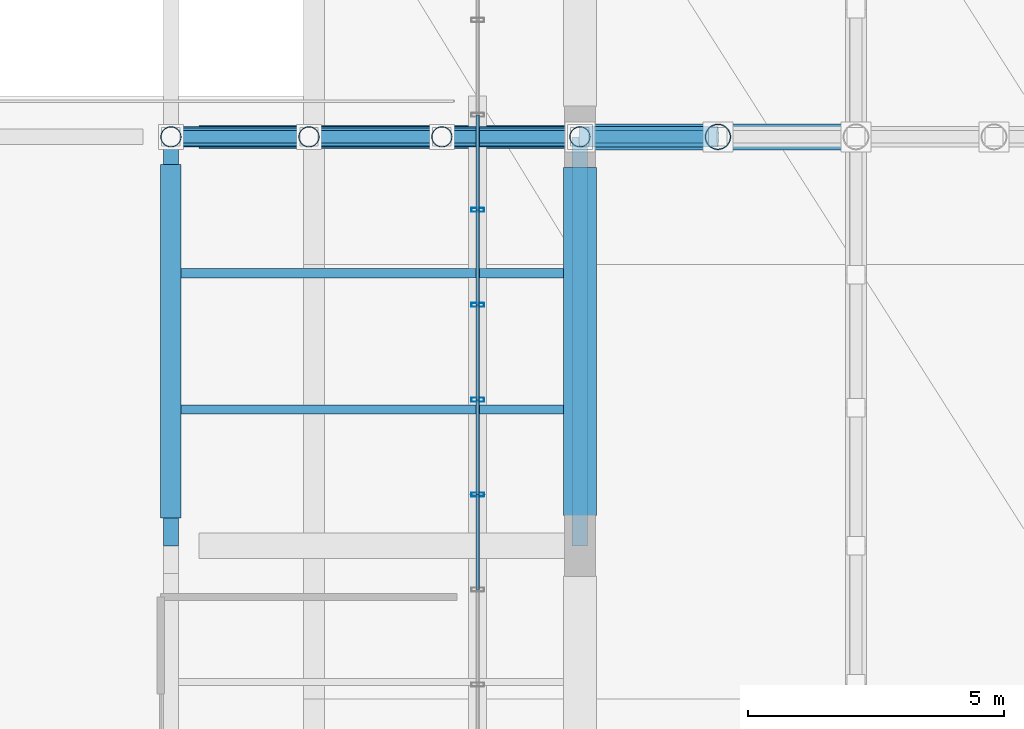
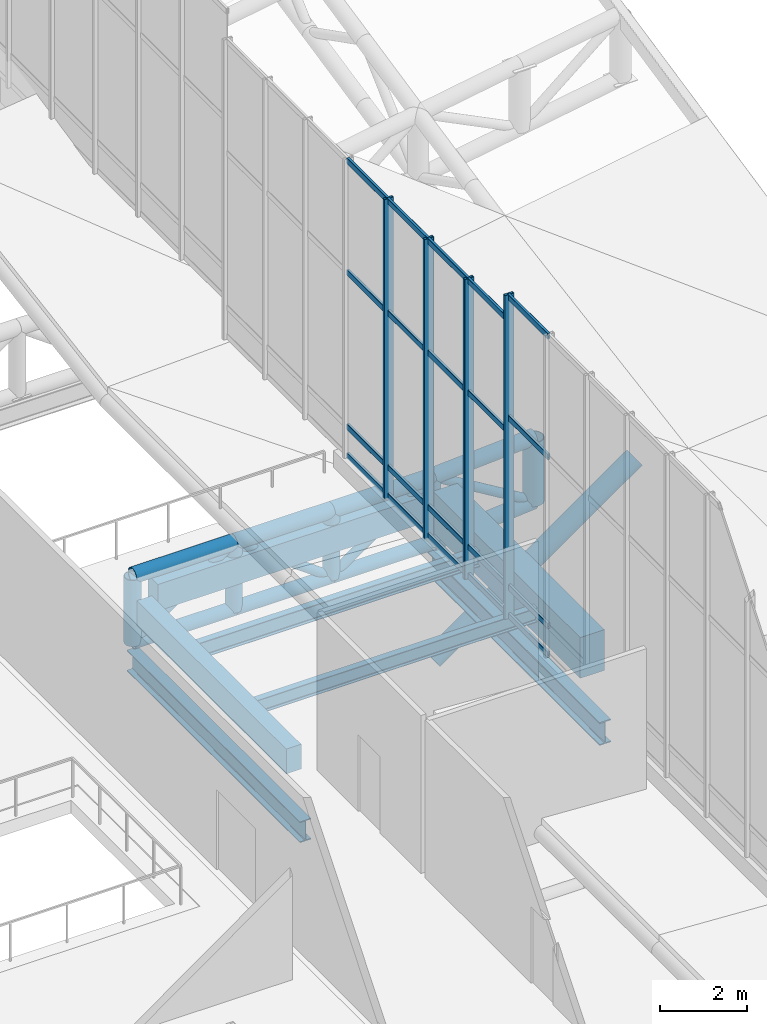
# One storey, part 83 of 137: 42 members, 7 beams, 2 elements without a shape of their own.
"""IFC4 building model written with IfcOpenShell, lengths in metres."""

from ifc_helpers import new_model, si_unit, direction, frame, origin, origin_2d, place, context, subcontext, project, spatial, rectangle, hollow_rectangle, hollow_circle, i_section, extrude, material, layer, layer_set, material_profile, profile_set, type_object, element, aggregate, save


model = new_model("IFC4")

# Units and contexts
model_context = context("Model", 3, precision=1e-05, world=origin(), true_north=direction((0.0, 1.0)))
body_context = subcontext(model_context, "Body", "Model", "MODEL_VIEW")
ifc_project = project(units=[si_unit("LENGTHUNIT", "METRE"), si_unit("AREAUNIT", "SQUARE_METRE"), si_unit("VOLUMEUNIT", "CUBIC_METRE"), si_unit("PLANEANGLEUNIT", "RADIAN"), si_unit("MASSUNIT", "GRAM", prefix="KILO")], contexts=[model_context])

# Site, building, storey
site_placement = place(None, origin())
site = spatial("IfcSite", under=ifc_project, at=site_placement, CompositionType="ELEMENT")
building_placement = place(site_placement, origin())
building = spatial("IfcBuilding", under=site, at=building_placement, Name="Khorjan Park Terminus", CompositionType="ELEMENT")
storey_placement = place(building_placement, frame((0.0, 0.0, 11.4)))
storey = spatial("IfcBuildingStorey", under=building, at=storey_placement, Name="L02", CompositionType="ELEMENT", Elevation=11.4)

# Beams
ifc_material_1 = material(Name="Steel S355", Category="steel")
ifc_material_profile_1 = material_profile(ifc_material_1, i_section(OverallWidth=0.3, OverallDepth=0.59, WebThickness=0.013, FlangeThickness=0.025, FilletRadius=0.027, at=origin_2d()), Name="HEA 600")
ifc_profile_set_1 = profile_set([ifc_material_profile_1], Name="Steel S355")
beam_type_1 = type_object("IfcBeamType", Name="BM-HEA600", PredefinedType="BEAM", material=ifc_profile_set_1)
beam_1_placement = place(storey_placement, frame((128.0, 60.0, -2.395), z_axis=(0.0, 1.0, 0.0), x_axis=(-1.0, 0.0, 0.0)))
element("IfcBeam", 1, at=beam_1_placement, inside=storey, type_object=beam_type_1, Name="Lower shell truss support girder SB-A60 (Y51)", PredefinedType="BEAM", context=body_context, shape_type="SweptSolid", body=[
    extrude(i_section(OverallWidth=0.3, OverallDepth=0.59, WebThickness=0.013, FlangeThickness=0.025, FilletRadius=0.027, at=origin_2d()), origin(), (0.0, 0.0, 1.0), 8.0),
])
ifc_material_2 = material(Name="Concrete C40/50", Category="concrete")
ifc_material_profile_2 = material_profile(ifc_material_2, rectangle(XDim=0.4, YDim=0.7, at=origin_2d()), Name="RC 400x700")
ifc_profile_set_2 = profile_set([ifc_material_profile_2], Name="Concrete C40/50")
beam_type_2 = type_object("IfcBeamType", Name="BM-RC400x700", PredefinedType="BEAM", material=ifc_profile_set_2)
beam_2_placement = place(storey_placement, frame((128.0, 60.545, -0.71), z_axis=(0.0, 1.0, 0.0), x_axis=(-1.0, 0.0, 0.0)))
element("IfcBeam", 2, at=beam_2_placement, inside=storey, type_object=beam_type_2, Name="Primary floor girder GB-07 (L02)", PredefinedType="BEAM", context=body_context, shape_type="SweptSolid", body=[
    extrude(rectangle(XDim=0.4, YDim=0.7, at=origin_2d()), origin(), (0.0, 0.0, 1.0), 6.91),
])
ifc_material_profile_3 = material_profile(ifc_material_2, rectangle(XDim=0.45, YDim=0.75, at=origin_2d()), Name="RC 450x750")
ifc_profile_set_3 = profile_set([ifc_material_profile_3], Name="Concrete C40/50")
beam_type_3 = type_object("IfcBeamType", Name="BM-RC450x750", PredefinedType="BEAM", material=ifc_profile_set_3)
beam_3_placement = place(storey_placement, frame((128.545, 68.0, -0.735), z_axis=(1.0, 0.0, 0.0), x_axis=(0.0, 1.0, 0.0)))
element("IfcBeam", 3, at=beam_3_placement, inside=storey, type_object=beam_type_3, Name="Primary floor girder GB-75 (L02)", PredefinedType="BEAM", context=body_context, shape_type="SweptSolid", body=[
    extrude(rectangle(XDim=0.45, YDim=0.75, at=origin_2d()), origin(), (0.0, 0.0, 1.0), 7.16),
])
ifc_material_profile_4 = material_profile(ifc_material_1, i_section(OverallWidth=0.18, OverallDepth=0.4, WebThickness=0.0086, FlangeThickness=0.0135, FilletRadius=0.021, at=origin_2d()), Name="IPE 400")
ifc_profile_set_4 = profile_set([ifc_material_profile_4], Name="Steel S355")
beam_type_4 = type_object("IfcBeamType", Name="JS-IPE400", PredefinedType="JOIST", material=ifc_profile_set_4)
beam_4_placement = place(storey_placement, frame((128.2, 62.6667, -0.56), z_axis=(1.0, 0.0, 0.0), x_axis=(0.0, 1.0, 0.0)))
element("IfcBeam", 4, at=beam_4_placement, inside=storey, type_object=beam_type_4, Name="Secondary composite floor joist SJ-40 (L02)", PredefinedType="JOIST", context=body_context, shape_type="SweptSolid", body=[
    extrude(i_section(OverallWidth=0.18, OverallDepth=0.4, WebThickness=0.0086, FlangeThickness=0.0135, FilletRadius=0.021, at=origin_2d()), origin(), (0.0, 0.0, 1.0), 7.475),
])
ifc_material_profile_5 = material_profile(ifc_material_1, i_section(OverallWidth=0.19, OverallDepth=0.45, WebThickness=0.0094, FlangeThickness=0.0146, FilletRadius=0.021, at=origin_2d()), Name="IPE 450")
ifc_profile_set_5 = profile_set([ifc_material_profile_5], Name="Steel S355")
beam_type_5 = type_object("IfcBeamType", Name="JS-IPE450", PredefinedType="JOIST", material=ifc_profile_set_5)
beam_5_placement = place(storey_placement, frame((128.2, 65.3333, -0.585), z_axis=(1.0, 0.0, 0.0), x_axis=(0.0, 1.0, 0.0)))
element("IfcBeam", 5, at=beam_5_placement, inside=storey, type_object=beam_type_5, Name="Secondary composite floor joist SJ-45 (L02)", PredefinedType="JOIST", context=body_context, shape_type="SweptSolid", body=[
    extrude(i_section(OverallWidth=0.19, OverallDepth=0.45, WebThickness=0.0094, FlangeThickness=0.0146, FilletRadius=0.021, at=origin_2d()), origin(), (0.0, 0.0, 1.0), 7.475),
])

# Members
ifc_material_profile_6 = material_profile(ifc_material_1, hollow_circle(Radius=0.1222, WallThickness=0.0125, at=origin_2d()), Name="CHS 244.5x12.5")
ifc_profile_set_6 = profile_set([ifc_material_profile_6], Name="Steel S355")
member_type_1 = type_object("IfcMemberType", Name="MB-BR-245", PredefinedType="BRACE", material=ifc_profile_set_6)
member_1_placement = place(storey_placement, frame((128.0, 68.0, -1.92), z_axis=(0.822082565391, 0.0, 0.569368295289), x_axis=(0.0, 1.0, 0.0)))
element("IfcMember", 6, at=member_1_placement, inside=storey, type_object=member_type_1, Name="Lower shell W/E truss diagonal (E3)", PredefinedType="BRACE", context=body_context, shape_type="SweptSolid", body=[
    extrude(hollow_circle(Radius=0.1222, WallThickness=0.0125, at=origin_2d()), origin(), (0.0, 0.0, 1.0), 3.2843),
])
member_2_placement = place(storey_placement, frame((130.7, 68.0, -0.05), z_axis=(0.811830357573, 0.0, -0.583893372562), x_axis=(0.0, 1.0, 0.0)))
element("IfcMember", 7, at=member_2_placement, inside=storey, type_object=member_type_1, Name="Lower shell W/E truss diagonal (E3)", PredefinedType="BRACE", context=body_context, shape_type="SweptSolid", body=[
    extrude(hollow_circle(Radius=0.1222, WallThickness=0.0125, at=origin_2d()), origin(), (0.0, 0.0, 1.0), 3.2026),
])
member_3_placement = place(storey_placement, frame((133.3, 68.0, -1.92), z_axis=(0.822082565391, 0.0, 0.569368295289), x_axis=(0.0, 1.0, 0.0)))
element("IfcMember", 8, at=member_3_placement, inside=storey, type_object=member_type_1, Name="Lower shell W/E truss diagonal (E3)", PredefinedType="BRACE", context=body_context, shape_type="SweptSolid", body=[
    extrude(hollow_circle(Radius=0.1222, WallThickness=0.0125, at=origin_2d()), origin(), (0.0, 0.0, 1.0), 3.2843),
])
ifc_material_profile_7 = material_profile(ifc_material_1, hollow_circle(Radius=0.1222, WallThickness=0.0125, at=origin_2d()), Name="CHS 244.5x12.5")
ifc_profile_set_7 = profile_set([ifc_material_profile_7], Name="Steel S355")
member_type_2 = type_object("IfcMemberType", Name="MB-BRE-245", PredefinedType="BRACE", material=ifc_profile_set_7)
member_4_placement = place(storey_placement, frame((136.0, 68.0, -0.05), z_axis=(0.856090914965, 0.0, -0.516825256072), x_axis=(0.0, 1.0, 0.0)))
element("IfcMember", 9, at=member_4_placement, inside=storey, type_object=member_type_2, Name="Lower shell W/E truss diagonal (E3)", PredefinedType="BRACE", context=body_context, shape_type="SweptSolid", body=[
    extrude(hollow_circle(Radius=0.1222, WallThickness=0.0125, at=origin_2d()), origin(), (0.0, 0.0, 1.0), 3.1539),
])
ifc_material_profile_8 = material_profile(ifc_material_1, hollow_circle(Radius=0.1778, WallThickness=0.016, at=origin_2d()), Name="CHS 355.6x16")
ifc_profile_set_8 = profile_set([ifc_material_profile_8], Name="Steel S355")
member_type_3 = type_object("IfcMemberType", Name="MB-CH-356", PredefinedType="CHORD", material=ifc_profile_set_8)
member_5_placement = place(storey_placement, frame((128.0, 68.0, -1.92), z_axis=(1.0, 0.0, 0.0), x_axis=(0.0, 1.0, 0.0)))
element("IfcMember", 10, at=member_5_placement, inside=storey, type_object=member_type_3, Name="Lower shell W/E truss bottom chord (E3)", PredefinedType="CHORD", context=body_context, shape_type="SweptSolid", body=[
    extrude(hollow_circle(Radius=0.1778, WallThickness=0.016, at=origin_2d()), origin(), (0.0, 0.0, 1.0), 2.7),
])
member_6_placement = place(storey_placement, frame((130.7, 68.0, -1.92), z_axis=(1.0, 0.0, 0.0), x_axis=(0.0, 1.0, 0.0)))
element("IfcMember", 11, at=member_6_placement, inside=storey, type_object=member_type_3, Name="Lower shell W/E truss bottom chord (E3)", PredefinedType="CHORD", context=body_context, shape_type="SweptSolid", body=[
    extrude(hollow_circle(Radius=0.1778, WallThickness=0.016, at=origin_2d()), origin(), (0.0, 0.0, 1.0), 2.6),
])
member_7_placement = place(storey_placement, frame((133.3, 68.0, -1.92), z_axis=(1.0, 0.0, 0.0), x_axis=(0.0, 1.0, 0.0)))
element("IfcMember", 12, at=member_7_placement, inside=storey, type_object=member_type_3, Name="Lower shell W/E truss bottom chord (E3)", PredefinedType="CHORD", context=body_context, shape_type="SweptSolid", body=[
    extrude(hollow_circle(Radius=0.1778, WallThickness=0.016, at=origin_2d()), origin(), (0.0, 0.0, 1.0), 2.7),
])
ifc_material_profile_9 = material_profile(ifc_material_1, hollow_circle(Radius=0.2032, WallThickness=0.016, at=origin_2d()), Name="CHS 406.4x16")
ifc_profile_set_9 = profile_set([ifc_material_profile_9], Name="Steel S355")
member_type_4 = type_object("IfcMemberType", Name="MB-CH-406", PredefinedType="CHORD", material=ifc_profile_set_9)
member_8_placement = place(storey_placement, frame((128.0, 68.0, -0.05), z_axis=(1.0, 0.0, 0.0), x_axis=(0.0, 1.0, 0.0)))
element("IfcMember", 13, at=member_8_placement, inside=storey, type_object=member_type_4, Name="Lower shell W/E truss top chord (E3)", PredefinedType="CHORD", context=body_context, shape_type="SweptSolid", body=[
    extrude(hollow_circle(Radius=0.2032, WallThickness=0.016, at=origin_2d()), origin(), (0.0, 0.0, 1.0), 2.7),
])
member_9_placement = place(storey_placement, frame((130.7, 68.0, -0.05), z_axis=(1.0, 0.0, 0.0), x_axis=(0.0, 1.0, 0.0)))
element("IfcMember", 14, at=member_9_placement, inside=storey, type_object=member_type_4, Name="Lower shell W/E truss top chord (E3)", PredefinedType="CHORD", context=body_context, shape_type="SweptSolid", body=[
    extrude(hollow_circle(Radius=0.2032, WallThickness=0.016, at=origin_2d()), origin(), (0.0, 0.0, 1.0), 2.6),
])
member_10_placement = place(storey_placement, frame((133.3, 68.0, -0.05), z_axis=(1.0, 0.0, 0.0), x_axis=(0.0, 1.0, 0.0)))
element("IfcMember", 15, at=member_10_placement, inside=storey, type_object=member_type_4, Name="Lower shell W/E truss top chord (E3)", PredefinedType="CHORD", context=body_context, shape_type="SweptSolid", body=[
    extrude(hollow_circle(Radius=0.2032, WallThickness=0.016, at=origin_2d()), origin(), (0.0, 0.0, 1.0), 2.7),
])
ifc_material_profile_10 = material_profile(ifc_material_1, hollow_circle(Radius=0.2032, WallThickness=0.016, at=origin_2d()), Name="CHS 406.4x16")
ifc_profile_set_10 = profile_set([ifc_material_profile_10], Name="Steel S355")
member_type_5 = type_object("IfcMemberType", Name="MB-CHE-406", PredefinedType="CHORD", material=ifc_profile_set_10)
member_11_placement = place(storey_placement, frame((136.0, 68.0, -0.05), z_axis=(0.998023706726, 0.0, 0.062838529683), x_axis=(0.0, 1.0, 0.0)))
element("IfcMember", 16, at=member_11_placement, inside=storey, type_object=member_type_5, Name="Lower shell W/E truss top chord (E3)", PredefinedType="CHORD", context=body_context, shape_type="SweptSolid", body=[
    extrude(hollow_circle(Radius=0.2032, WallThickness=0.016, at=origin_2d()), origin(), (0.0, 0.0, 1.0), 2.7053),
])
member_12_placement = place(storey_placement, frame((136.0, 68.0, -1.92), z_axis=(0.996072640693, 0.0, 0.088539790284), x_axis=(0.0, 1.0, 0.0)))
element("IfcMember", 17, at=member_12_placement, inside=storey, type_object=member_type_5, Name="Lower shell W/E truss bottom chord (E3)", PredefinedType="CHORD", context=body_context, shape_type="SweptSolid", body=[
    extrude(hollow_circle(Radius=0.2032, WallThickness=0.016, at=origin_2d()), origin(), (0.0, 0.0, 1.0), 2.7106),
])
ifc_material_profile_11 = material_profile(ifc_material_1, hollow_circle(Radius=0.2032, WallThickness=0.016, at=origin_2d()), Name="CHS 406.4x16")
ifc_profile_set_11 = profile_set([ifc_material_profile_11], Name="Steel S355")
member_type_6 = type_object("IfcMemberType", Name="MB-ST-406", PredefinedType="STRUT", material=ifc_profile_set_11)
for number, where, z_axis, x_axis, name in (
    (18, (128.0, 68.0, -1.92), (0.0, 0.0, 1.0), (1.0, 0.0, 0.0), "Lower shell W/E truss post (E3)"),
    (19, (130.7, 68.0, -1.92), (0.0, 0.0, 1.0), (1.0, 0.0, 0.0), "Lower shell W/E truss post (E3)"),
    (20, (133.3, 68.0, -1.92), (0.0, 0.0, 1.0), (1.0, 0.0, 0.0), "Lower shell W/E truss post (E3)"),
    (21, (136.0, 68.0, -1.92), (0.0, 0.0, 1.0), (1.0, 0.0, 0.0), "Lower shell W/E truss post (E3)"),
):
    element("IfcMember", number, at=place(storey_placement, frame(where, z_axis=z_axis, x_axis=x_axis)), inside=storey, type_object=member_type_6, Name=name, PredefinedType="STRUT", context=body_context, shape_type="SweptSolid", body=[
        extrude(hollow_circle(Radius=0.2032, WallThickness=0.016, at=origin_2d()), origin(), (0.0, 0.0, 1.0), 1.87),
    ])
ifc_material_profile_12 = material_profile(ifc_material_1, hollow_circle(Radius=0.254, WallThickness=0.02, at=origin_2d()), Name="CHS 508x20")
ifc_profile_set_12 = profile_set([ifc_material_profile_12], Name="Steel S355")
member_type_7 = type_object("IfcMemberType", Name="MB-STE-508", PredefinedType="STRUT", material=ifc_profile_set_12)
member_13_placement = place(storey_placement, frame((138.7, 68.0, -1.68), z_axis=(0.0, 0.0, 1.0), x_axis=(1.0, 0.0, 0.0)))
element("IfcMember", 22, at=member_13_placement, inside=storey, type_object=member_type_7, Name="Lower shell W/E truss post (E3)", PredefinedType="STRUT", context=body_context, shape_type="SweptSolid", body=[
    extrude(hollow_circle(Radius=0.254, WallThickness=0.02, at=origin_2d()), origin(), (0.0, 0.0, 1.0), 1.8),
])
member_14_placement = place(storey_placement, frame((136.0, 68.0, -5.2), z_axis=(0.818561944309, 0.0, 0.574418265142), x_axis=(0.0, 1.0, 0.0)))
element("IfcMember", 23, at=member_14_placement, inside=storey, type_object=member_type_7, Name="Lower shell W/E raked V-strut STE-51 (E3)", PredefinedType="STRUT", context=body_context, shape_type="SweptSolid", body=[
    extrude(hollow_circle(Radius=0.254, WallThickness=0.02, at=origin_2d()), origin(), (0.0, 0.0, 1.0), 6.5969),
])

# Curtain wall, member
ifc_material_3 = material(Name="Anodized Bronze Aluminium", Category="aluminium")
ifc_layer = layer(ifc_material_3, 0.22)
ifc_layer_set = layer_set([ifc_layer], Name="Anodized Bronze Aluminium")
curtain_wall_type = type_object("IfcCurtainWallType", Name="CW-CONC-CLR", PredefinedType="NOTDEFINED", material=ifc_layer_set)
curtain_wall_1_placement = place(storey_placement, origin())
curtain_wall_1 = element("IfcCurtainWall", 24, at=curtain_wall_1_placement, inside=storey, type_object=curtain_wall_type, Name="Unitized curtain wall CW-CL (CW-V2-E-CLR-02)", PredefinedType="NOTDEFINED")
ifc_material_profile_13 = material_profile(ifc_material_3, hollow_rectangle(XDim=0.08, YDim=0.25, WallThickness=0.005, InnerFilletRadius=0.005, OuterFilletRadius=0.01, at=origin_2d()), Name="ALM 80x250x5")
ifc_profile_set_13 = profile_set([ifc_material_profile_13], Name="Anodized Bronze Aluminium")
member_type_8 = type_object("IfcMemberType", Name="ML-ALM-250", PredefinedType="MULLION", material=ifc_profile_set_13)
member_15_placement = place(storey_placement, frame((134.0, 61.0, 0.915), z_axis=(0.0, 0.0, 1.0), x_axis=(0.0, 1.0, 0.0)))
member_15 = element("IfcMember", 25, at=member_15_placement, type_object=member_type_8, Name="Curtain-wall mullion ML-25 (CW-V2-E-CLR-02-7)", PredefinedType="MULLION", context=body_context, shape_type="SweptSolid", body=[
    extrude(hollow_rectangle(XDim=0.08, YDim=0.25, WallThickness=0.005, InnerFilletRadius=0.005, OuterFilletRadius=0.01, at=origin_2d()), origin(), (0.0, 0.0, 1.0), 9.1348),
])

# Curtain wall, members
curtain_wall_2_placement = place(storey_placement, origin())
curtain_wall_2 = element("IfcCurtainWall", 26, at=curtain_wall_2_placement, inside=storey, type_object=curtain_wall_type, Name="Unitized curtain wall CW-CL (CW-V2-E-CLR-03)", PredefinedType="NOTDEFINED")
member_16_placement = place(storey_placement, frame((134.0, 62.8571, 0.915), z_axis=(0.0, 0.0, 1.0), x_axis=(0.0, 1.0, 0.0)))
member_16 = element("IfcMember", 27, at=member_16_placement, type_object=member_type_8, Name="Curtain-wall mullion ML-25 (CW-V2-E-CLR-03-1)", PredefinedType="MULLION", context=body_context, shape_type="SweptSolid", body=[
    extrude(hollow_rectangle(XDim=0.08, YDim=0.25, WallThickness=0.005, InnerFilletRadius=0.005, OuterFilletRadius=0.01, at=origin_2d()), origin(), (0.0, 0.0, 1.0), 8.4652),
])
member_17_placement = place(storey_placement, frame((134.0, 64.7143, 0.915), z_axis=(0.0, 0.0, 1.0), x_axis=(0.0, 1.0, 0.0)))
member_17 = element("IfcMember", 28, at=member_17_placement, type_object=member_type_8, Name="Curtain-wall mullion ML-25 (CW-V2-E-CLR-03-2)", PredefinedType="MULLION", context=body_context, shape_type="SweptSolid", body=[
    extrude(hollow_rectangle(XDim=0.08, YDim=0.25, WallThickness=0.005, InnerFilletRadius=0.005, OuterFilletRadius=0.01, at=origin_2d()), origin(), (0.0, 0.0, 1.0), 8.4652),
])
member_18_placement = place(storey_placement, frame((134.0, 66.5714, 0.915), z_axis=(0.0, 0.0, 1.0), x_axis=(0.0, 1.0, 0.0)))
member_18 = element("IfcMember", 29, at=member_18_placement, type_object=member_type_8, Name="Curtain-wall mullion ML-25 (CW-V2-E-CLR-03-3)", PredefinedType="MULLION", context=body_context, shape_type="SweptSolid", body=[
    extrude(hollow_rectangle(XDim=0.08, YDim=0.25, WallThickness=0.005, InnerFilletRadius=0.005, OuterFilletRadius=0.01, at=origin_2d()), origin(), (0.0, 0.0, 1.0), 8.4652),
])

# Beams
ifc_material_profile_14 = material_profile(ifc_material_1, i_section(OverallWidth=0.3, OverallDepth=0.65, WebThickness=0.016, FlangeThickness=0.031, FilletRadius=0.027, at=origin_2d()), Name="HEB 650")
ifc_profile_set_14 = profile_set([ifc_material_profile_14], Name="Steel S355")
beam_type_6 = type_object("IfcBeamType", Name="SP-HEB650E", PredefinedType="SPANDREL", material=ifc_profile_set_14)
beam_6_placement = place(storey_placement, frame((136.0, 60.0, -2.425), z_axis=(0.0, 1.0, 0.0), x_axis=(-1.0, 0.0, 0.0)))
element("IfcBeam", 30, at=beam_6_placement, inside=storey, type_object=beam_type_6, Name="Lower shell truss support girder SP-E65 (Y43)", PredefinedType="SPANDREL", context=body_context, shape_type="SweptSolid", body=[
    extrude(i_section(OverallWidth=0.3, OverallDepth=0.65, WebThickness=0.016, FlangeThickness=0.031, FilletRadius=0.027, at=origin_2d()), origin(), (0.0, 0.0, 1.0), 8.0),
])
ifc_material_4 = material(Name="Concrete C50/60", Category="concrete")
ifc_material_profile_15 = material_profile(ifc_material_4, rectangle(XDim=0.65, YDim=1.15, at=origin_2d()), Name="RC 650x1150")
ifc_profile_set_15 = profile_set([ifc_material_profile_15], Name="Concrete C50/60")
beam_type_7 = type_object("IfcBeamType", Name="SP-RC650x1150", PredefinedType="SPANDREL", material=ifc_profile_set_15)
beam_7_placement = place(storey_placement, frame((136.0, 60.595, -0.575), z_axis=(0.0, 1.0, 0.0), x_axis=(-1.0, 0.0, 0.0)))
element("IfcBeam", 31, at=beam_7_placement, inside=storey, type_object=beam_type_7, Name="Concourse lower colonnade ring beam SP-11 (L02-68)", PredefinedType="SPANDREL", context=body_context, shape_type="SweptSolid", body=[
    extrude(rectangle(XDim=0.65, YDim=1.15, at=origin_2d()), origin(), (0.0, 0.0, 1.0), 6.81),
])

# Member
ifc_material_profile_16 = material_profile(ifc_material_3, hollow_rectangle(XDim=0.07, YDim=0.16, WallThickness=0.004, InnerFilletRadius=0.004, OuterFilletRadius=0.008, at=origin_2d()), Name="ALT 70x160x4")
ifc_profile_set_16 = profile_set([ifc_material_profile_16], Name="Anodized Bronze Aluminium")
member_type_9 = type_object("IfcMemberType", Name="TR-ALT-160", PredefinedType="USERDEFINED", material=ifc_profile_set_16)
member_19_placement = place(storey_placement, frame((134.0, 59.1429, 0.99), z_axis=(0.0, 1.0, 0.0), x_axis=(-1.0, 0.0, 0.0)))
member_19 = element("IfcMember", 32, at=member_19_placement, type_object=member_type_9, Name="Curtain-wall transom TR-16 (CW-V2-E-CLR-02-6-1)", ObjectType="TRANSOM", PredefinedType="USERDEFINED", context=body_context, shape_type="SweptSolid", body=[
    extrude(hollow_rectangle(XDim=0.07, YDim=0.16, WallThickness=0.004, InnerFilletRadius=0.004, OuterFilletRadius=0.008, at=origin_2d()), origin(), (0.0, 0.0, 1.0), 1.8571),
])

member_20_placement = place(storey_placement, frame((134.0, 59.1429, 1.8), z_axis=(0.0, 1.0, 0.0), x_axis=(-1.0, 0.0, 0.0)))
member_20 = element("IfcMember", 33, at=member_20_placement, type_object=member_type_9, Name="Curtain-wall transom TR-16 (CW-V2-E-CLR-02-6-2)", ObjectType="TRANSOM", PredefinedType="USERDEFINED", context=body_context, shape_type="SweptSolid", body=[
    extrude(hollow_rectangle(XDim=0.07, YDim=0.16, WallThickness=0.004, InnerFilletRadius=0.004, OuterFilletRadius=0.008, at=origin_2d()), origin(), (0.0, 0.0, 1.0), 1.8571),
])

member_21_placement = place(storey_placement, frame((134.0, 59.1429, 6.5702), z_axis=(0.0, 1.0, 0.0), x_axis=(-1.0, 0.0, 0.0)))
member_21 = element("IfcMember", 34, at=member_21_placement, type_object=member_type_9, Name="Curtain-wall transom TR-16 (CW-V2-E-CLR-02-6-3)", ObjectType="TRANSOM", PredefinedType="USERDEFINED", context=body_context, shape_type="SweptSolid", body=[
    extrude(hollow_rectangle(XDim=0.07, YDim=0.16, WallThickness=0.004, InnerFilletRadius=0.004, OuterFilletRadius=0.008, at=origin_2d()), origin(), (0.0, 0.0, 1.0), 1.8571),
])

member_22_placement = place(storey_placement, frame((134.0, 59.1429, 9.9748), z_axis=(0.0, 1.0, 0.0), x_axis=(-1.0, 0.0, 0.0)))
member_22 = element("IfcMember", 35, at=member_22_placement, type_object=member_type_9, Name="Curtain-wall transom TR-16 (CW-V2-E-CLR-02-6-4)", ObjectType="TRANSOM", PredefinedType="USERDEFINED", context=body_context, shape_type="SweptSolid", body=[
    extrude(hollow_rectangle(XDim=0.07, YDim=0.16, WallThickness=0.004, InnerFilletRadius=0.004, OuterFilletRadius=0.008, at=origin_2d()), origin(), (0.0, 0.0, 1.0), 1.8571),
])

aggregate(curtain_wall_1, [member_15, member_19, member_20, member_21, member_22])

member_23_placement = place(storey_placement, frame((134.0, 61.0, 0.99), z_axis=(0.0, 1.0, 0.0), x_axis=(-1.0, 0.0, 0.0)))
member_23 = element("IfcMember", 36, at=member_23_placement, type_object=member_type_9, Name="Curtain-wall transom TR-16 (CW-V2-E-CLR-03-0-1)", ObjectType="TRANSOM", PredefinedType="USERDEFINED", context=body_context, shape_type="SweptSolid", body=[
    extrude(hollow_rectangle(XDim=0.07, YDim=0.16, WallThickness=0.004, InnerFilletRadius=0.004, OuterFilletRadius=0.008, at=origin_2d()), origin(), (0.0, 0.0, 1.0), 1.8571),
])

member_24_placement = place(storey_placement, frame((134.0, 61.0, 1.8), z_axis=(0.0, 1.0, 0.0), x_axis=(-1.0, 0.0, 0.0)))
member_24 = element("IfcMember", 37, at=member_24_placement, type_object=member_type_9, Name="Curtain-wall transom TR-16 (CW-V2-E-CLR-03-0-2)", ObjectType="TRANSOM", PredefinedType="USERDEFINED", context=body_context, shape_type="SweptSolid", body=[
    extrude(hollow_rectangle(XDim=0.07, YDim=0.16, WallThickness=0.004, InnerFilletRadius=0.004, OuterFilletRadius=0.008, at=origin_2d()), origin(), (0.0, 0.0, 1.0), 1.8571),
])

member_25_placement = place(storey_placement, frame((134.0, 61.0, 6.155), z_axis=(0.0, 1.0, 0.0), x_axis=(-1.0, 0.0, 0.0)))
member_25 = element("IfcMember", 38, at=member_25_placement, type_object=member_type_9, Name="Curtain-wall transom TR-16 (CW-V2-E-CLR-03-0-3)", ObjectType="TRANSOM", PredefinedType="USERDEFINED", context=body_context, shape_type="SweptSolid", body=[
    extrude(hollow_rectangle(XDim=0.07, YDim=0.16, WallThickness=0.004, InnerFilletRadius=0.004, OuterFilletRadius=0.008, at=origin_2d()), origin(), (0.0, 0.0, 1.0), 1.8571),
])

member_26_placement = place(storey_placement, frame((134.0, 61.0, 9.3052), z_axis=(0.0, 1.0, 0.0), x_axis=(-1.0, 0.0, 0.0)))
member_26 = element("IfcMember", 39, at=member_26_placement, type_object=member_type_9, Name="Curtain-wall transom TR-16 (CW-V2-E-CLR-03-0-4)", ObjectType="TRANSOM", PredefinedType="USERDEFINED", context=body_context, shape_type="SweptSolid", body=[
    extrude(hollow_rectangle(XDim=0.07, YDim=0.16, WallThickness=0.004, InnerFilletRadius=0.004, OuterFilletRadius=0.008, at=origin_2d()), origin(), (0.0, 0.0, 1.0), 1.8571),
])

member_27_placement = place(storey_placement, frame((134.0, 62.8571, 0.99), z_axis=(0.0, 1.0, 0.0), x_axis=(-1.0, 0.0, 0.0)))
member_27 = element("IfcMember", 40, at=member_27_placement, type_object=member_type_9, Name="Curtain-wall transom TR-16 (CW-V2-E-CLR-03-1-1)", ObjectType="TRANSOM", PredefinedType="USERDEFINED", context=body_context, shape_type="SweptSolid", body=[
    extrude(hollow_rectangle(XDim=0.07, YDim=0.16, WallThickness=0.004, InnerFilletRadius=0.004, OuterFilletRadius=0.008, at=origin_2d()), origin(), (0.0, 0.0, 1.0), 1.8572),
])

member_28_placement = place(storey_placement, frame((134.0, 62.8571, 1.8), z_axis=(0.0, 1.0, 0.0), x_axis=(-1.0, 0.0, 0.0)))
member_28 = element("IfcMember", 41, at=member_28_placement, type_object=member_type_9, Name="Curtain-wall transom TR-16 (CW-V2-E-CLR-03-1-2)", ObjectType="TRANSOM", PredefinedType="USERDEFINED", context=body_context, shape_type="SweptSolid", body=[
    extrude(hollow_rectangle(XDim=0.07, YDim=0.16, WallThickness=0.004, InnerFilletRadius=0.004, OuterFilletRadius=0.008, at=origin_2d()), origin(), (0.0, 0.0, 1.0), 1.8572),
])

member_29_placement = place(storey_placement, frame((134.0, 62.8571, 6.155), z_axis=(0.0, 1.0, 0.0), x_axis=(-1.0, 0.0, 0.0)))
member_29 = element("IfcMember", 42, at=member_29_placement, type_object=member_type_9, Name="Curtain-wall transom TR-16 (CW-V2-E-CLR-03-1-3)", ObjectType="TRANSOM", PredefinedType="USERDEFINED", context=body_context, shape_type="SweptSolid", body=[
    extrude(hollow_rectangle(XDim=0.07, YDim=0.16, WallThickness=0.004, InnerFilletRadius=0.004, OuterFilletRadius=0.008, at=origin_2d()), origin(), (0.0, 0.0, 1.0), 1.8572),
])

member_30_placement = place(storey_placement, frame((134.0, 62.8571, 9.3052), z_axis=(0.0, 1.0, 0.0), x_axis=(-1.0, 0.0, 0.0)))
member_30 = element("IfcMember", 43, at=member_30_placement, type_object=member_type_9, Name="Curtain-wall transom TR-16 (CW-V2-E-CLR-03-1-4)", ObjectType="TRANSOM", PredefinedType="USERDEFINED", context=body_context, shape_type="SweptSolid", body=[
    extrude(hollow_rectangle(XDim=0.07, YDim=0.16, WallThickness=0.004, InnerFilletRadius=0.004, OuterFilletRadius=0.008, at=origin_2d()), origin(), (0.0, 0.0, 1.0), 1.8572),
])

member_31_placement = place(storey_placement, frame((134.0, 64.7143, 0.99), z_axis=(0.0, 1.0, 0.0), x_axis=(-1.0, 0.0, 0.0)))
member_31 = element("IfcMember", 44, at=member_31_placement, type_object=member_type_9, Name="Curtain-wall transom TR-16 (CW-V2-E-CLR-03-2-1)", ObjectType="TRANSOM", PredefinedType="USERDEFINED", context=body_context, shape_type="SweptSolid", body=[
    extrude(hollow_rectangle(XDim=0.07, YDim=0.16, WallThickness=0.004, InnerFilletRadius=0.004, OuterFilletRadius=0.008, at=origin_2d()), origin(), (0.0, 0.0, 1.0), 1.8571),
])

member_32_placement = place(storey_placement, frame((134.0, 64.7143, 1.8), z_axis=(0.0, 1.0, 0.0), x_axis=(-1.0, 0.0, 0.0)))
member_32 = element("IfcMember", 45, at=member_32_placement, type_object=member_type_9, Name="Curtain-wall transom TR-16 (CW-V2-E-CLR-03-2-2)", ObjectType="TRANSOM", PredefinedType="USERDEFINED", context=body_context, shape_type="SweptSolid", body=[
    extrude(hollow_rectangle(XDim=0.07, YDim=0.16, WallThickness=0.004, InnerFilletRadius=0.004, OuterFilletRadius=0.008, at=origin_2d()), origin(), (0.0, 0.0, 1.0), 1.8571),
])

member_33_placement = place(storey_placement, frame((134.0, 64.7143, 6.155), z_axis=(0.0, 1.0, 0.0), x_axis=(-1.0, 0.0, 0.0)))
member_33 = element("IfcMember", 46, at=member_33_placement, type_object=member_type_9, Name="Curtain-wall transom TR-16 (CW-V2-E-CLR-03-2-3)", ObjectType="TRANSOM", PredefinedType="USERDEFINED", context=body_context, shape_type="SweptSolid", body=[
    extrude(hollow_rectangle(XDim=0.07, YDim=0.16, WallThickness=0.004, InnerFilletRadius=0.004, OuterFilletRadius=0.008, at=origin_2d()), origin(), (0.0, 0.0, 1.0), 1.8571),
])

member_34_placement = place(storey_placement, frame((134.0, 64.7143, 9.3052), z_axis=(0.0, 1.0, 0.0), x_axis=(-1.0, 0.0, 0.0)))
member_34 = element("IfcMember", 47, at=member_34_placement, type_object=member_type_9, Name="Curtain-wall transom TR-16 (CW-V2-E-CLR-03-2-4)", ObjectType="TRANSOM", PredefinedType="USERDEFINED", context=body_context, shape_type="SweptSolid", body=[
    extrude(hollow_rectangle(XDim=0.07, YDim=0.16, WallThickness=0.004, InnerFilletRadius=0.004, OuterFilletRadius=0.008, at=origin_2d()), origin(), (0.0, 0.0, 1.0), 1.8571),
])

member_35_placement = place(storey_placement, frame((134.0, 66.5714, 0.99), z_axis=(0.0, 1.0, 0.0), x_axis=(-1.0, 0.0, 0.0)))
member_35 = element("IfcMember", 48, at=member_35_placement, type_object=member_type_9, Name="Curtain-wall transom TR-16 (CW-V2-E-CLR-03-3-1)", ObjectType="TRANSOM", PredefinedType="USERDEFINED", context=body_context, shape_type="SweptSolid", body=[
    extrude(hollow_rectangle(XDim=0.07, YDim=0.16, WallThickness=0.004, InnerFilletRadius=0.004, OuterFilletRadius=0.008, at=origin_2d()), origin(), (0.0, 0.0, 1.0), 1.8572),
])

member_36_placement = place(storey_placement, frame((134.0, 66.5714, 1.8), z_axis=(0.0, 1.0, 0.0), x_axis=(-1.0, 0.0, 0.0)))
member_36 = element("IfcMember", 49, at=member_36_placement, type_object=member_type_9, Name="Curtain-wall transom TR-16 (CW-V2-E-CLR-03-3-2)", ObjectType="TRANSOM", PredefinedType="USERDEFINED", context=body_context, shape_type="SweptSolid", body=[
    extrude(hollow_rectangle(XDim=0.07, YDim=0.16, WallThickness=0.004, InnerFilletRadius=0.004, OuterFilletRadius=0.008, at=origin_2d()), origin(), (0.0, 0.0, 1.0), 1.8572),
])

member_37_placement = place(storey_placement, frame((134.0, 66.5714, 6.155), z_axis=(0.0, 1.0, 0.0), x_axis=(-1.0, 0.0, 0.0)))
member_37 = element("IfcMember", 50, at=member_37_placement, type_object=member_type_9, Name="Curtain-wall transom TR-16 (CW-V2-E-CLR-03-3-3)", ObjectType="TRANSOM", PredefinedType="USERDEFINED", context=body_context, shape_type="SweptSolid", body=[
    extrude(hollow_rectangle(XDim=0.07, YDim=0.16, WallThickness=0.004, InnerFilletRadius=0.004, OuterFilletRadius=0.008, at=origin_2d()), origin(), (0.0, 0.0, 1.0), 1.8572),
])

member_38_placement = place(storey_placement, frame((134.0, 66.5714, 9.3052), z_axis=(0.0, 1.0, 0.0), x_axis=(-1.0, 0.0, 0.0)))
member_38 = element("IfcMember", 51, at=member_38_placement, type_object=member_type_9, Name="Curtain-wall transom TR-16 (CW-V2-E-CLR-03-3-4)", ObjectType="TRANSOM", PredefinedType="USERDEFINED", context=body_context, shape_type="SweptSolid", body=[
    extrude(hollow_rectangle(XDim=0.07, YDim=0.16, WallThickness=0.004, InnerFilletRadius=0.004, OuterFilletRadius=0.008, at=origin_2d()), origin(), (0.0, 0.0, 1.0), 1.8572),
])

aggregate(curtain_wall_2, [member_16, member_17, member_18, member_23, member_24, member_25, member_26, member_27, member_28, member_29, member_30, member_31, member_32, member_33, member_34, member_35, member_36, member_37, member_38])

save(model, "model.ifc")
